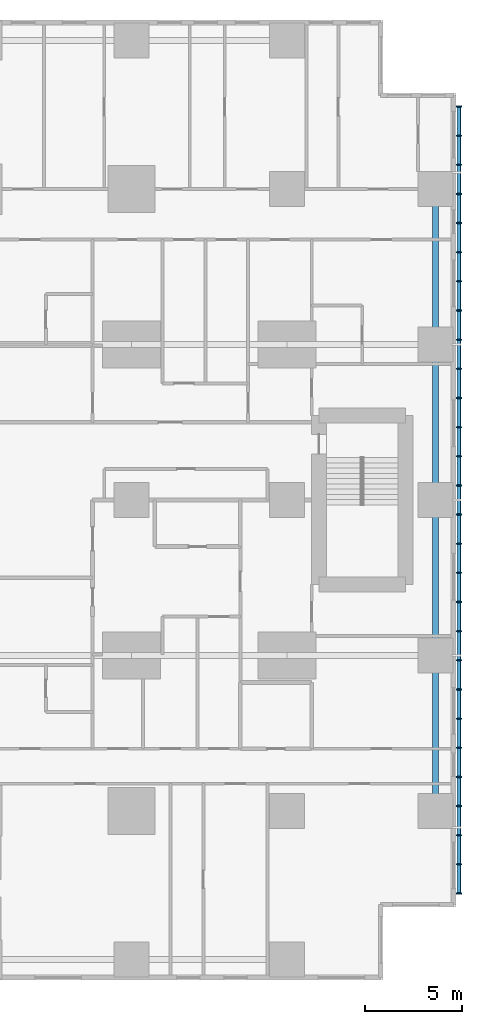
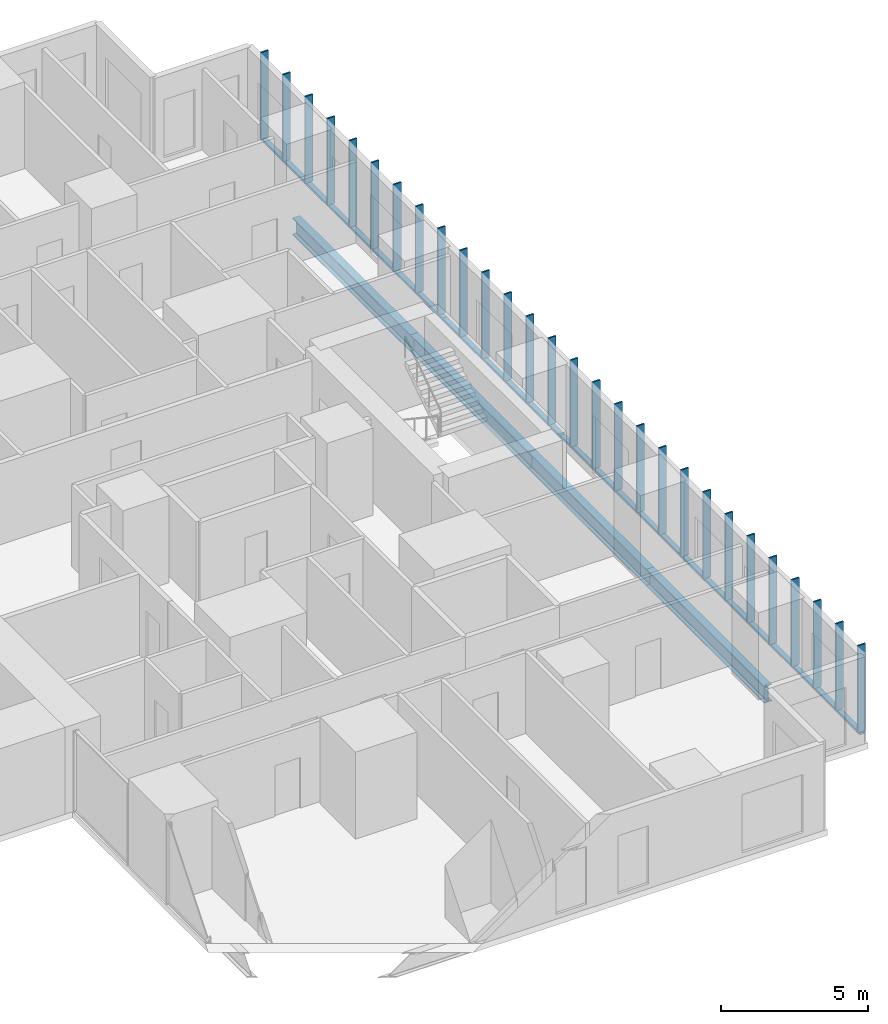
# One storey, part 6 of 20: 32 members, 4 beams.
"""IFC4 building model written with IfcOpenShell, lengths in metres."""

from ifc_helpers import new_model, si_unit, direction, frame, origin, origin_2d, place, context, subcontext, project, spatial, rectangle, hollow_rectangle, i_section, extrude, material, material_profile, profile_set, type_object, element, save


model = new_model("IFC4")

# Units and contexts
model_context = context("Model", 3, precision=1e-05, world=origin(), true_north=direction((0.0, 1.0)))
body_context = subcontext(model_context, "Body", "Model", "MODEL_VIEW")
ifc_project = project(units=[si_unit("LENGTHUNIT", "METRE"), si_unit("AREAUNIT", "SQUARE_METRE"), si_unit("VOLUMEUNIT", "CUBIC_METRE"), si_unit("PLANEANGLEUNIT", "RADIAN"), si_unit("MASSUNIT", "GRAM", prefix="KILO")], contexts=[model_context])

# Site, building, storey
site_placement = place(None, origin())
site = spatial("IfcSite", under=ifc_project, at=site_placement, CompositionType="ELEMENT")
building_placement = place(site_placement, origin())
building = spatial("IfcBuilding", under=site, at=building_placement, Name="Cleftline Residences", CompositionType="ELEMENT")
storey_placement = place(building_placement, frame((0.0, 0.0, 185.800048828125)))
storey = spatial("IfcBuildingStorey", under=building, at=storey_placement, Name="L48", CompositionType="ELEMENT", Elevation=185.800048828125)

# Members
ifc_material_1 = material(Name="Steel S355, hot-dip galvanised", Category="steel")
ifc_material_profile_1 = material_profile(ifc_material_1, hollow_rectangle(XDim=0.10009765625, YDim=0.199951171875, WallThickness=0.008056640625, InnerFilletRadius=0.008056640625, OuterFilletRadius=0.011962890625, at=origin_2d()))
ifc_profile_set_1 = profile_set([ifc_material_profile_1], Name="Steel S355, hot-dip galvanised")
member_type_1 = type_object("IfcMemberType", Name="BAGUETTE CARRIER RHS 200X100X8", PredefinedType="USERDEFINED", material=ifc_profile_set_1)
member_1_placement = place(storey_placement, frame((66.85009765625, 3.699951171875, -0.050048828125), z_axis=(0.0, 1.0, 0.0), x_axis=(0.0, 0.0, 1.0)))
element("IfcMember", 1, at=member_1_placement, inside=storey, type_object=member_type_1, Name="Baguette carrier", ObjectType="BAGUETTE CARRIER", PredefinedType="USERDEFINED", context=body_context, shape_type="SweptSolid", body=[
    extrude(hollow_rectangle(XDim=0.10009765625, YDim=0.199951171875, WallThickness=0.008056640625, InnerFilletRadius=0.008056640625, OuterFilletRadius=0.011962890625, at=origin_2d()), origin(), (0.0, 0.0, 1.0), 12.300048828125),
])
for number, where, z_axis, x_axis, name in (
    (2, (66.85009765625, 16.0, -0.050048828125), (0.0, 1.0, 0.0), (0.0, 0.0, 1.0), "Baguette carrier"),
    (3, (66.85009765625, 24.0, -0.050048828125), (0.0, 1.0, 0.0), (0.0, 0.0, 1.0), "Baguette carrier"),
):
    element("IfcMember", number, at=place(storey_placement, frame(where, z_axis=z_axis, x_axis=x_axis)), inside=storey, type_object=member_type_1, Name=name, ObjectType="BAGUETTE CARRIER", PredefinedType="USERDEFINED", context=body_context, shape_type="SweptSolid", body=[
        extrude(hollow_rectangle(XDim=0.10009765625, YDim=0.199951171875, WallThickness=0.008056640625, InnerFilletRadius=0.008056640625, OuterFilletRadius=0.011962890625, at=origin_2d()), origin(), (0.0, 0.0, 1.0), 8.0),
    ])
member_2_placement = place(storey_placement, frame((66.85009765625, 32.0, -0.050048828125), z_axis=(0.0, 1.0, 0.0), x_axis=(0.0, 0.0, 1.0)))
element("IfcMember", 4, at=member_2_placement, inside=storey, type_object=member_type_1, Name="Baguette carrier", ObjectType="BAGUETTE CARRIER", PredefinedType="USERDEFINED", context=body_context, shape_type="SweptSolid", body=[
    extrude(hollow_rectangle(XDim=0.10009765625, YDim=0.199951171875, WallThickness=0.008056640625, InnerFilletRadius=0.008056640625, OuterFilletRadius=0.011962890625, at=origin_2d()), origin(), (0.0, 0.0, 1.0), 12.300048828125),
])

# Beams
ifc_material_2 = material(Name="Steel S355", Category="steel")
ifc_material_profile_2 = material_profile(ifc_material_2, i_section(OverallWidth=0.300048828125, OverallDepth=0.699951171875, WebThickness=0.01708984375, FlangeThickness=0.031982421875, FilletRadius=0.027099609375, at=origin_2d()))
ifc_profile_set_2 = profile_set([ifc_material_profile_2], Name="Steel S355")
beam_type = type_object("IfcBeamType", Name="BEAM HEB 700", PredefinedType="BEAM", material=ifc_profile_set_2)
for number, where, z_axis, x_axis, name in (
    (5, (65.64990234375, 8.0, -0.60009765625), (0.0, 1.0, 0.0), (-1.0, 0.0, 0.0), "Edge beam"),
    (6, (65.64990234375, 16.0, -0.60009765625), (0.0, 1.0, 0.0), (-1.0, 0.0, 0.0), "Edge beam"),
    (7, (65.64990234375, 24.0, -0.60009765625), (0.0, 1.0, 0.0), (-1.0, 0.0, 0.0), "Edge beam"),
    (8, (65.64990234375, 32.0, -0.60009765625), (0.0, 1.0, 0.0), (-1.0, 0.0, 0.0), "Edge beam"),
):
    element("IfcBeam", number, at=place(storey_placement, frame(where, z_axis=z_axis, x_axis=x_axis)), inside=storey, type_object=beam_type, Name=name, PredefinedType="BEAM", context=body_context, shape_type="SweptSolid", body=[
        extrude(i_section(OverallWidth=0.300048828125, OverallDepth=0.699951171875, WebThickness=0.01708984375, FlangeThickness=0.031982421875, FilletRadius=0.027099609375, at=origin_2d()), origin(), (0.0, 0.0, 1.0), 8.0),
    ])

# Members
ifc_material_3 = material(Name="Extruded terracotta", Category="masonry")
ifc_material_profile_3 = material_profile(ifc_material_3, rectangle(XDim=0.06005859375, YDim=0.300048828125, at=origin_2d()))
ifc_profile_set_3 = profile_set([ifc_material_profile_3], Name="Extruded terracotta")
member_type_2 = type_object("IfcMemberType", Name="TERRACOTTA BAGUETTE 60X300", PredefinedType="USERDEFINED", material=ifc_profile_set_3)
for number, where, z_axis, x_axis, name in (
    (9, (66.85009765625, 3.75, 0.0), (0.0, 0.0, 1.0), (0.0, 1.0, 0.0), "Terracotta baguette"),
    (10, (66.85009765625, 5.25, 0.0), (0.0, 0.0, 1.0), (0.0, 1.0, 0.0), "Terracotta baguette"),
    (11, (66.85009765625, 6.75, 0.0), (0.0, 0.0, 1.0), (0.0, 1.0, 0.0), "Terracotta baguette"),
    (12, (66.85009765625, 8.25, 0.0), (0.0, 0.0, 1.0), (0.0, 1.0, 0.0), "Terracotta baguette"),
    (13, (66.85009765625, 9.75, 0.0), (0.0, 0.0, 1.0), (0.0, 1.0, 0.0), "Terracotta baguette"),
    (14, (66.85009765625, 11.25, 0.0), (0.0, 0.0, 1.0), (0.0, 1.0, 0.0), "Terracotta baguette"),
    (15, (66.85009765625, 12.75, 0.0), (0.0, 0.0, 1.0), (0.0, 1.0, 0.0), "Terracotta baguette"),
    (16, (66.85009765625, 14.25, 0.0), (0.0, 0.0, 1.0), (0.0, 1.0, 0.0), "Terracotta baguette"),
    (17, (66.85009765625, 15.75, 0.0), (0.0, 0.0, 1.0), (0.0, 1.0, 0.0), "Terracotta baguette"),
    (18, (66.85009765625, 17.25, 0.0), (0.0, 0.0, 1.0), (0.0, 1.0, 0.0), "Terracotta baguette"),
    (19, (66.85009765625, 18.75, 0.0), (0.0, 0.0, 1.0), (0.0, 1.0, 0.0), "Terracotta baguette"),
    (20, (66.85009765625, 20.25, 0.0), (0.0, 0.0, 1.0), (0.0, 1.0, 0.0), "Terracotta baguette"),
    (21, (66.85009765625, 21.75, 0.0), (0.0, 0.0, 1.0), (0.0, 1.0, 0.0), "Terracotta baguette"),
    (22, (66.85009765625, 23.25, 0.0), (0.0, 0.0, 1.0), (0.0, 1.0, 0.0), "Terracotta baguette"),
    (23, (66.85009765625, 24.75, 0.0), (0.0, 0.0, 1.0), (0.0, 1.0, 0.0), "Terracotta baguette"),
    (24, (66.85009765625, 26.25, 0.0), (0.0, 0.0, 1.0), (0.0, 1.0, 0.0), "Terracotta baguette"),
    (25, (66.85009765625, 27.75, 0.0), (0.0, 0.0, 1.0), (0.0, 1.0, 0.0), "Terracotta baguette"),
    (26, (66.85009765625, 29.25, 0.0), (0.0, 0.0, 1.0), (0.0, 1.0, 0.0), "Terracotta baguette"),
    (27, (66.85009765625, 30.75, 0.0), (0.0, 0.0, 1.0), (0.0, 1.0, 0.0), "Terracotta baguette"),
    (28, (66.85009765625, 32.25, 0.0), (0.0, 0.0, 1.0), (0.0, 1.0, 0.0), "Terracotta baguette"),
    (29, (66.85009765625, 33.75, 0.0), (0.0, 0.0, 1.0), (0.0, 1.0, 0.0), "Terracotta baguette"),
    (30, (66.85009765625, 35.25, 0.0), (0.0, 0.0, 1.0), (0.0, 1.0, 0.0), "Terracotta baguette"),
    (31, (66.85009765625, 36.75, 0.0), (0.0, 0.0, 1.0), (0.0, 1.0, 0.0), "Terracotta baguette"),
    (32, (66.85009765625, 38.25, 0.0), (0.0, 0.0, 1.0), (0.0, 1.0, 0.0), "Terracotta baguette"),
    (33, (66.85009765625, 39.75, 0.0), (0.0, 0.0, 1.0), (0.0, 1.0, 0.0), "Terracotta baguette"),
    (34, (66.85009765625, 41.25, 0.0), (0.0, 0.0, 1.0), (0.0, 1.0, 0.0), "Terracotta baguette"),
    (35, (66.85009765625, 42.75, 0.0), (0.0, 0.0, 1.0), (0.0, 1.0, 0.0), "Terracotta baguette"),
    (36, (66.85009765625, 44.25, 0.0), (0.0, 0.0, 1.0), (0.0, 1.0, 0.0), "Terracotta baguette"),
):
    element("IfcMember", number, at=place(storey_placement, frame(where, z_axis=z_axis, x_axis=x_axis)), inside=storey, type_object=member_type_2, Name=name, ObjectType="BAGUETTE", PredefinedType="USERDEFINED", context=body_context, shape_type="SweptSolid", body=[
        extrude(rectangle(XDim=0.06005859375, YDim=0.300048828125, at=origin_2d()), origin(), (0.0, 0.0, 1.0), 3.599853515625),
    ])

save(model, "model.ifc")
